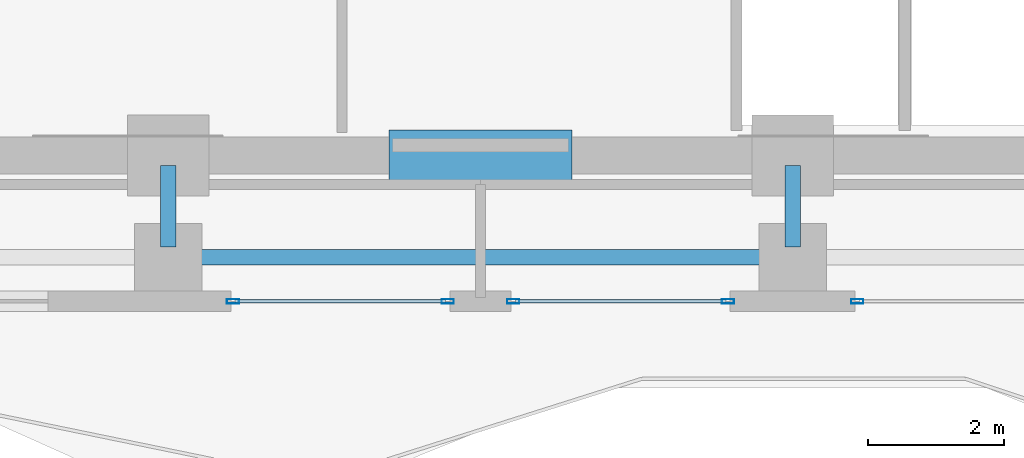
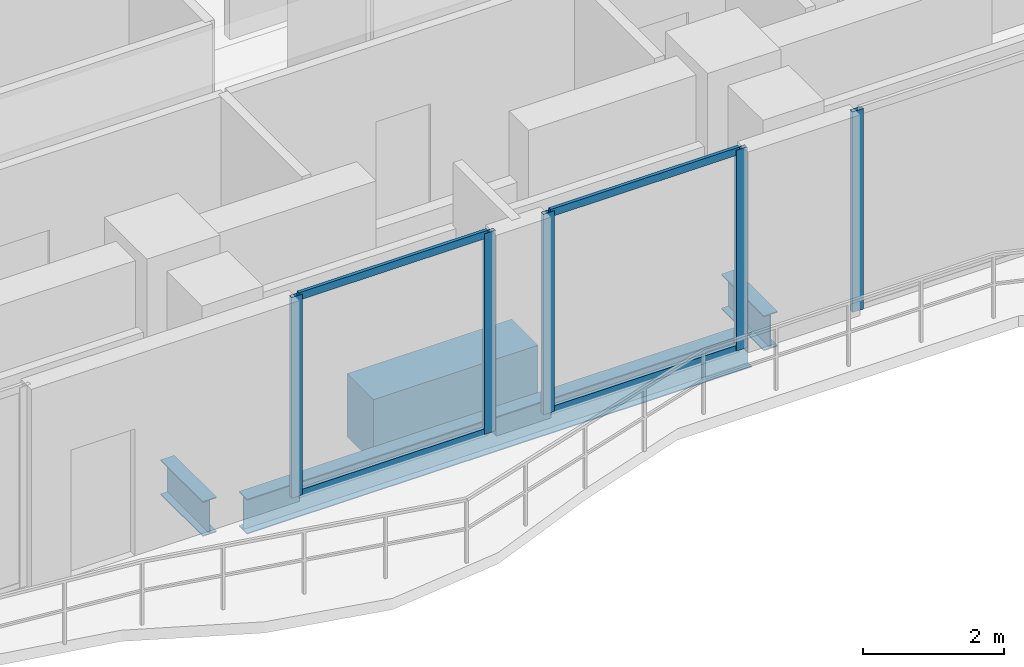
# One storey, part 4 of 24: 9 members, 4 beams, 3 elements without a shape of their own.
"""IFC4 building model written with IfcOpenShell, lengths in metres."""

import ifcopenshell
import ifcopenshell.guid

model = None  # the IFC model being written
_history = None  # IfcOwnerHistory: only IFC2X3 demands one
_inside = {}  # id of a spatial element -> (the spatial element, [elements in it])
_under = {}  # id of a project, library or spatial element -> (it, [spatial elements below it])
_declared = {}  # id of a project -> (the project, [libraries it declares])
_typed = {}  # id of a type object -> (the type object, [elements of that type])
_made_of = {}  # id of a material, layer set ... -> (it, [elements and type objects made of it])


def new_model(schema):
    """Start an empty IFC model of exactly this schema.

    Asked for "IFC4X3", IfcOpenShell would pick the latest addendum, in which some entities
    have other attributes; the version numbers below select the first issue.
    IFC2X3 requires an IfcOwnerHistory on every rooted entity: one is made here for all.
    """
    global model, _history
    if schema == "IFC4X3":
        model = ifcopenshell.file(schema_version=(4, 3, 0, 0))
    else:
        model = ifcopenshell.file(schema=schema)
    _inside.clear()
    _under.clear()
    _declared.clear()
    _typed.clear()
    _made_of.clear()
    _history = None
    if model.schema == "IFC2X3":
        org = make("IfcOrganization", Name="unknown")
        user = make(
            "IfcPersonAndOrganization",
            ThePerson=make("IfcPerson", FamilyName="unknown"),
            TheOrganization=org,
        )
        app = make(
            "IfcApplication",
            ApplicationDeveloper=org,
            Version="unknown",
            ApplicationFullName="unknown",
            ApplicationIdentifier="unknown",
        )
        _history = make(
            "IfcOwnerHistory",
            OwningUser=user,
            OwningApplication=app,
            ChangeAction="ADDED",
            CreationDate=0,
        )
    return model


def make(cls, **values):
    """One entity of the class cls with the attributes given. An attribute that is None is left unset."""
    return model.create_entity(
        cls, **{name: value for name, value in values.items() if value is not None}
    )


def rooted(cls, **values):
    """An entity with a GlobalId (a new one), such as an element, a storey or a relation."""
    return make(cls, GlobalId=ifcopenshell.guid.new(), OwnerHistory=_history, **values)


def si_unit(unit_type, name, prefix=None):
    """IfcSIUnit, for example si_unit("LENGTHUNIT", "METRE", prefix="MILLI")."""
    return make("IfcSIUnit", UnitType=unit_type, Prefix=prefix, Name=name)


def assignment(units):
    """IfcUnitAssignment: the units of a project."""
    return None if units is None else make("IfcUnitAssignment", Units=units)


def point(xyz):
    """IfcCartesianPoint."""
    return None if xyz is None else make("IfcCartesianPoint", Coordinates=xyz)


def direction(xyz):
    """IfcDirection."""
    return None if xyz is None else make("IfcDirection", DirectionRatios=xyz)


def frame(location, z_axis=None, x_axis=None):
    """IfcAxis2Placement3D, a coordinate frame: its origin and axes. An axis left out is left unset."""
    return make(
        "IfcAxis2Placement3D",
        Location=point(location),
        Axis=direction(z_axis),
        RefDirection=direction(x_axis),
    )


def frame_2d(location, x_axis=None):
    """IfcAxis2Placement2D, a coordinate frame in the plane: its origin and x axis."""
    return make(
        "IfcAxis2Placement2D", Location=point(location), RefDirection=direction(x_axis)
    )


def origin():
    """The frame at (0, 0, 0) with its axes left unset."""
    return frame((0.0, 0.0, 0.0))


def origin_2d():
    """The frame at (0, 0) in the plane with its x axis left unset."""
    return frame_2d((0.0, 0.0))


def place(relative_to, where):
    """IfcLocalPlacement: puts the frame where relative to a parent placement (None: the world)."""
    return make(
        "IfcLocalPlacement", PlacementRelTo=relative_to, RelativePlacement=where
    )


def context(
    kind, dimensions, precision=None, world=None, true_north=None, identifier=None
):
    """IfcGeometricRepresentationContext, for example the 3D "Model" context."""
    return make(
        "IfcGeometricRepresentationContext",
        ContextIdentifier=identifier,
        ContextType=kind,
        CoordinateSpaceDimension=dimensions,
        Precision=precision,
        WorldCoordinateSystem=world,
        TrueNorth=true_north,
    )


def subcontext(parent, identifier, kind, view, scale=None):
    """IfcGeometricRepresentationSubContext, for example "Body" below "Model"."""
    return make(
        "IfcGeometricRepresentationSubContext",
        ContextIdentifier=identifier,
        ContextType=kind,
        ParentContext=parent,
        TargetScale=scale,
        TargetView=view,
    )


def project(units=None, contexts=None):
    """IfcProject with its units and contexts."""
    return rooted(
        "IfcProject",
        Name="project",
        RepresentationContexts=contexts,
        UnitsInContext=assignment(units),
    )


def spatial(cls, under=None, at=None, **own):
    """A site, building, storey or space (cls), placed at a placement, below another one or the project."""
    s = rooted(cls, ObjectPlacement=at, **own)
    if under is not None:
        _under.setdefault(under.id(), (under, []))[1].append(s)
    return s


def profile(cls, at=None, kind="AREA", **sizes):
    """A parametric profile (cls). Its sizes go by their IFC names, for example OverallWidth=200.0."""
    return make(cls, ProfileType=kind, Position=at, **sizes)


def rectangle(**sizes):
    """IfcRectangleProfileDef."""
    return profile("IfcRectangleProfileDef", **sizes)


def hollow_rectangle(**sizes):
    """IfcRectangleHollowProfileDef."""
    return profile("IfcRectangleHollowProfileDef", **sizes)


def i_section(**sizes):
    """IfcIShapeProfileDef."""
    return profile("IfcIShapeProfileDef", **sizes)


def extrude(swept, where, along, depth):
    """IfcExtrudedAreaSolid: the profile swept, set in the frame where, extruded along a direction by depth."""
    return make(
        "IfcExtrudedAreaSolid",
        SweptArea=swept,
        Position=where,
        ExtrudedDirection=direction(along),
        Depth=depth,
    )


def shape(context_of_items, identifier, shape_type, items):
    """IfcShapeRepresentation: the items that make up one representation, for example the "Body"."""
    return make(
        "IfcShapeRepresentation",
        ContextOfItems=context_of_items,
        RepresentationIdentifier=identifier,
        RepresentationType=shape_type,
        Items=items,
    )


def material(Name=None, Category=None):
    """IfcMaterial."""
    return make("IfcMaterial", Name=Name, Category=Category)


def layer(
    of_material, thickness, ventilated=None, Name=None, Category=None, Priority=None
):
    """IfcMaterialLayer: one layer of a wall or slab, of a material (None: an air gap)."""
    return make(
        "IfcMaterialLayer",
        Material=of_material,
        LayerThickness=thickness,
        IsVentilated=ventilated,
        Name=Name,
        Category=Category,
        Priority=Priority,
    )


def layer_set(layers, Name=None):
    """IfcMaterialLayerSet."""
    return make("IfcMaterialLayerSet", MaterialLayers=layers, LayerSetName=Name)


def material_profile(
    of_material, cross_section, Name=None, Category=None, Priority=None
):
    """IfcMaterialProfile: a cross section and its material."""
    return make(
        "IfcMaterialProfile",
        Name=Name,
        Material=of_material,
        Profile=cross_section,
        Priority=Priority,
        Category=Category,
    )


def profile_set(profiles, Name=None, composite=None):
    """IfcMaterialProfileSet."""
    return make(
        "IfcMaterialProfileSet",
        Name=Name,
        MaterialProfiles=profiles,
        CompositeProfile=composite,
    )


def made_of(thing, what):
    """Note that an element or type object is made of a material, layer set ...; save() writes the relation."""
    if what is not None:
        _made_of.setdefault(what.id(), (what, []))[1].append(thing)
    return thing


def type_object(cls, material=None, **own):
    """A type object (cls), such as IfcWallType, which elements share."""
    return made_of(rooted(cls, **own), material)


def element(
    cls,
    number,
    at=None,
    inside=None,
    cuts=None,
    type_object=None,
    material=None,
    context=None,
    identifier="Body",
    shape_type=None,
    held_by="IfcProductDefinitionShape",
    body=None,
    shapes=None,
    **own,
):
    """One element of the class cls, such as IfcWall. Its Tag is "e" and its number.

    at: its placement. inside: the storey or other place that contains it. cuts: it is an
    opening in that element (IfcRelVoidsElement). A single representation is given by context,
    identifier, shape_type and body (its items); several are given by shapes. held_by: the class
    of the entity that holds the representations. save() writes the other relations.
    """
    e = rooted(cls, Tag="e%d" % number, ObjectPlacement=at, **own)
    if body is not None:
        shapes = [shape(context, identifier, shape_type, body)]
    if shapes is not None:
        e.Representation = make(held_by, Representations=shapes)
    if inside is not None:
        _inside.setdefault(inside.id(), (inside, []))[1].append(e)
    if cuts is not None:
        rooted(
            "IfcRelVoidsElement", RelatingBuildingElement=cuts, RelatedOpeningElement=e
        )
    if type_object is not None:
        _typed.setdefault(type_object.id(), (type_object, []))[1].append(e)
    return made_of(e, material)


def aggregate(whole, parts):
    """IfcRelAggregates: a whole, such as a stair, and the parts it consists of."""
    return rooted("IfcRelAggregates", RelatingObject=whole, RelatedObjects=parts)


def save(model, path):
    """Write the relations noted so far, then the file.

    IfcRelAggregates (storeys below a building ...), IfcRelContainedInSpatialStructure (elements
    in a storey), IfcRelDefinesByType, IfcRelAssociatesMaterial and IfcRelDeclares: one each for
    every whole, place, type object, material and project.
    """
    for whole, parts in _under.values():
        aggregate(whole, parts)
    for where, things in _inside.values():
        rooted(
            "IfcRelContainedInSpatialStructure",
            RelatedElements=things,
            RelatingStructure=where,
        )
    for kind, things in _typed.values():
        rooted("IfcRelDefinesByType", RelatedObjects=things, RelatingType=kind)
    for what, things in _made_of.values():
        rooted("IfcRelAssociatesMaterial", RelatedObjects=things, RelatingMaterial=what)
    for by, libraries in _declared.values():
        rooted("IfcRelDeclares", RelatingContext=by, RelatedDefinitions=libraries)
    model.write(path)


model = new_model("IFC4")

# Units and contexts
model_context = context("Model", 3, precision=1e-05, world=origin(), true_north=direction((0.0, 1.0)))
body_context = subcontext(model_context, "Body", "Model", "MODEL_VIEW")
ifc_project = project(units=[si_unit("LENGTHUNIT", "METRE"), si_unit("AREAUNIT", "SQUARE_METRE"), si_unit("VOLUMEUNIT", "CUBIC_METRE"), si_unit("PLANEANGLEUNIT", "RADIAN"), si_unit("MASSUNIT", "GRAM", prefix="KILO")], contexts=[model_context])

# Site, building, storey
site_placement = place(None, origin())
site = spatial("IfcSite", under=ifc_project, at=site_placement, CompositionType="ELEMENT")
building_placement = place(site_placement, origin())
building = spatial("IfcBuilding", under=site, at=building_placement, Name="Zuhayl Quay Hotel", CompositionType="ELEMENT")
storey_placement = place(building_placement, frame((0.0, 0.0, 276.64990234375)))
storey = spatial("IfcBuildingStorey", under=building, at=storey_placement, Name="L70", CompositionType="ELEMENT", Elevation=276.64990234375)

# Beams
ifc_material_1 = material(Name="Steel ASTM A992 Grade 50", Category="steel")
ifc_material_profile_1 = material_profile(ifc_material_1, i_section(OverallWidth=0.22802734375, OverallDepth=0.60693359375, WebThickness=0.01123046875, FlangeThickness=0.017333984375, at=origin_2d()), Name="W24X76")
ifc_profile_set_1 = profile_set([ifc_material_profile_1], Name="Steel ASTM A992 Grade 50")
beam_type_1 = type_object("IfcBeamType", Name="BM_B3_W24X76", PredefinedType="BEAM", material=ifc_profile_set_1)
beam_1_placement = place(storey_placement, frame((-4.139892578125, 0.64990234375, -0.5234375), z_axis=(1.0, 0.0, 0.0), x_axis=(0.0, 1.0, 0.0)))
element("IfcBeam", 1, at=beam_1_placement, inside=storey, type_object=beam_type_1, Name="L70 Floor Beam RG_L70_02", PredefinedType="BEAM", context=body_context, shape_type="SweptSolid", body=[
    extrude(i_section(OverallWidth=0.22802734375, OverallDepth=0.60693359375, WebThickness=0.01123046875, FlangeThickness=0.017333984375, at=origin_2d()), origin(), (0.0, 0.0, 1.0), 8.27978515625),
])
for number, where, z_axis, x_axis, name in (
    (2, (-4.60009765625, 0.800048828125, -0.5234375), (0.0, 1.0, 0.0), (-1.0, 0.0, 0.0), "L70 Floor Beam FG_S_L70_2"),
    (3, (4.60009765625, 0.800048828125, -0.5234375), (0.0, 1.0, 0.0), (-1.0, 0.0, 0.0), "L70 Floor Beam FG_S_L70_3"),
):
    element("IfcBeam", number, at=place(storey_placement, frame(where, z_axis=z_axis, x_axis=x_axis)), inside=storey, type_object=beam_type_1, Name=name, PredefinedType="BEAM", context=body_context, shape_type="SweptSolid", body=[
        extrude(i_section(OverallWidth=0.22802734375, OverallDepth=0.60693359375, WebThickness=0.01123046875, FlangeThickness=0.017333984375, at=origin_2d()), origin(), (0.0, 0.0, 1.0), 1.199951171875),
    ])
ifc_material_2 = material(Name="Concrete C60/75", Category="concrete")
ifc_material_profile_2 = material_profile(ifc_material_2, rectangle(XDim=0.75, YDim=1.10009765625, at=origin_2d()), Name="RC750X1100")
ifc_profile_set_2 = profile_set([ifc_material_profile_2], Name="Concrete C60/75")
beam_type_2 = type_object("IfcBeamType", Name="BM_CB2_RC750", PredefinedType="T_BEAM", material=ifc_profile_set_2)
beam_2_placement = place(storey_placement, frame((-1.35009765625, 2.14990234375, -0.77001953125), z_axis=(1.0, 0.0, 0.0), x_axis=(0.0, 1.0, 0.0)))
element("IfcBeam", 4, at=beam_2_placement, inside=storey, type_object=beam_type_2, Name="L70 Core Coupling Beam South", PredefinedType="T_BEAM", context=body_context, shape_type="SweptSolid", body=[
    extrude(rectangle(XDim=0.75, YDim=1.10009765625, at=origin_2d()), origin(), (0.0, 0.0, 1.0), 2.7001953125),
])

# Curtain wall, member
ifc_material_3 = material(Name="Anodised Aluminium 6063-T6", Category="aluminium")
ifc_layer = layer(ifc_material_3, 0.169921875, Name="Anodised Aluminium 6063-T6", Category="aluminium")
ifc_layer_set = layer_set([ifc_layer], Name="Anodised Aluminium 6063-T6")
curtain_wall_type = type_object("IfcCurtainWallType", Name="CW_SYS_Z4", PredefinedType="USERDEFINED", material=ifc_layer_set)
curtain_wall_1_placement = place(storey_placement, origin())
curtain_wall_1 = element("IfcCurtainWall", 5, at=curtain_wall_1_placement, inside=storey, type_object=curtain_wall_type, Name="L70 Curtain Wall ENV_L70_S_CW1", ObjectType="UNITISED CURTAIN WALL", PredefinedType="USERDEFINED")
ifc_material_4 = material(Name="Black-anodised aluminium 6063-T6", Category="aluminium")
ifc_material_profile_3 = material_profile(ifc_material_4, hollow_rectangle(XDim=0.06494140625, YDim=0.179931640625, WallThickness=0.00341796875, at=origin_2d()), Name="ALU180X65")
ifc_profile_set_3 = profile_set([ifc_material_profile_3], Name="Black-anodised aluminium 6063-T6")
member_type_1 = type_object("IfcMemberType", Name="MB_CW_MUL_180", PredefinedType="MULLION", material=ifc_profile_set_3)
member_1_placement = place(storey_placement, frame((5.552490234375, 0.0, 0.0), z_axis=(0.0, 0.0, 1.0), x_axis=(0.0, -1.0, 0.0)))
member_1 = element("IfcMember", 6, at=member_1_placement, type_object=member_type_1, Name="CW-Z4 mullion 2", PredefinedType="MULLION", context=body_context, shape_type="SweptSolid", body=[
    extrude(hollow_rectangle(XDim=0.06494140625, YDim=0.179931640625, WallThickness=0.00341796875, at=origin_2d()), origin(), (0.0, 0.0, 1.0), 3.47998046875),
])
aggregate(curtain_wall_1, [member_1])

# Curtain wall, members
curtain_wall_2_placement = place(storey_placement, origin())
curtain_wall_2 = element("IfcCurtainWall", 7, at=curtain_wall_2_placement, inside=storey, type_object=curtain_wall_type, Name="L70 Curtain Wall ENV_L70_S_CW2", ObjectType="UNITISED CURTAIN WALL", PredefinedType="USERDEFINED")
member_2_placement = place(storey_placement, frame((3.6474609375, 0.0, 0.0), z_axis=(0.0, 0.0, 1.0), x_axis=(0.0, -1.0, 0.0)))
member_2 = element("IfcMember", 8, at=member_2_placement, type_object=member_type_1, Name="CW-Z4 mullion 1", PredefinedType="MULLION", context=body_context, shape_type="SweptSolid", body=[
    extrude(hollow_rectangle(XDim=0.06494140625, YDim=0.179931640625, WallThickness=0.00341796875, at=origin_2d()), origin(), (0.0, 0.0, 1.0), 3.47998046875),
])
member_3_placement = place(storey_placement, frame((0.482421875, 0.0, 0.0), z_axis=(0.0, 0.0, 1.0), x_axis=(0.0, -1.0, 0.0)))
member_3 = element("IfcMember", 9, at=member_3_placement, type_object=member_type_1, Name="CW-Z4 mullion 2", PredefinedType="MULLION", context=body_context, shape_type="SweptSolid", body=[
    extrude(hollow_rectangle(XDim=0.06494140625, YDim=0.179931640625, WallThickness=0.00341796875, at=origin_2d()), origin(), (0.0, 0.0, 1.0), 3.47998046875),
])

curtain_wall_3_placement = place(storey_placement, origin())
curtain_wall_3 = element("IfcCurtainWall", 10, at=curtain_wall_3_placement, inside=storey, type_object=curtain_wall_type, Name="L70 Curtain Wall ENV_L70_S_CW3", ObjectType="UNITISED CURTAIN WALL", PredefinedType="USERDEFINED")
member_4_placement = place(storey_placement, frame((-0.482421875, 0.0, 0.0), z_axis=(0.0, 0.0, 1.0), x_axis=(0.0, -1.0, 0.0)))
member_4 = element("IfcMember", 11, at=member_4_placement, type_object=member_type_1, Name="CW-Z4 mullion 1", PredefinedType="MULLION", context=body_context, shape_type="SweptSolid", body=[
    extrude(hollow_rectangle(XDim=0.06494140625, YDim=0.179931640625, WallThickness=0.00341796875, at=origin_2d()), origin(), (0.0, 0.0, 1.0), 3.47998046875),
])
member_5_placement = place(storey_placement, frame((-3.6474609375, 0.0, 0.0), z_axis=(0.0, 0.0, 1.0), x_axis=(0.0, -1.0, 0.0)))
member_5 = element("IfcMember", 12, at=member_5_placement, type_object=member_type_1, Name="CW-Z4 mullion 2", PredefinedType="MULLION", context=body_context, shape_type="SweptSolid", body=[
    extrude(hollow_rectangle(XDim=0.06494140625, YDim=0.179931640625, WallThickness=0.00341796875, at=origin_2d()), origin(), (0.0, 0.0, 1.0), 3.47998046875),
])

# Member
ifc_material_profile_4 = material_profile(ifc_material_4, hollow_rectangle(XDim=0.054931640625, YDim=0.1298828125, WallThickness=0.0029296875, at=origin_2d()), Name="ALU130X55")
ifc_profile_set_4 = profile_set([ifc_material_profile_4], Name="Black-anodised aluminium 6063-T6")
member_type_2 = type_object("IfcMemberType", Name="MB_CW_TRN_130", PredefinedType="USERDEFINED", material=ifc_profile_set_4)
member_6_placement = place(storey_placement, frame((3.614990234375, 0.0, 0.027587890625), z_axis=(-1.0, 0.0, 0.0), x_axis=(0.0, -1.0, 0.0)))
member_6 = element("IfcMember", 13, at=member_6_placement, type_object=member_type_2, Name="CW-Z4 transom 1.1", ObjectType="TRANSOM", PredefinedType="USERDEFINED", context=body_context, shape_type="SweptSolid", body=[
    extrude(hollow_rectangle(XDim=0.054931640625, YDim=0.1298828125, WallThickness=0.0029296875, at=origin_2d()), origin(), (0.0, 0.0, 1.0), 3.10009765625),
])

member_7_placement = place(storey_placement, frame((3.614990234375, 0.0, 3.45263671875), z_axis=(-1.0, 0.0, 0.0), x_axis=(0.0, -1.0, 0.0)))
member_7 = element("IfcMember", 14, at=member_7_placement, type_object=member_type_2, Name="CW-Z4 transom 1.2", ObjectType="TRANSOM", PredefinedType="USERDEFINED", context=body_context, shape_type="SweptSolid", body=[
    extrude(hollow_rectangle(XDim=0.054931640625, YDim=0.1298828125, WallThickness=0.0029296875, at=origin_2d()), origin(), (0.0, 0.0, 1.0), 3.10009765625),
])

aggregate(curtain_wall_2, [member_2, member_3, member_6, member_7])

member_8_placement = place(storey_placement, frame((-0.514892578125, 0.0, 0.027587890625), z_axis=(-1.0, 0.0, 0.0), x_axis=(0.0, -1.0, 0.0)))
member_8 = element("IfcMember", 15, at=member_8_placement, type_object=member_type_2, Name="CW-Z4 transom 1.1", ObjectType="TRANSOM", PredefinedType="USERDEFINED", context=body_context, shape_type="SweptSolid", body=[
    extrude(hollow_rectangle(XDim=0.054931640625, YDim=0.1298828125, WallThickness=0.0029296875, at=origin_2d()), origin(), (0.0, 0.0, 1.0), 3.10009765625),
])

member_9_placement = place(storey_placement, frame((-0.514892578125, 0.0, 3.45263671875), z_axis=(-1.0, 0.0, 0.0), x_axis=(0.0, -1.0, 0.0)))
member_9 = element("IfcMember", 16, at=member_9_placement, type_object=member_type_2, Name="CW-Z4 transom 1.2", ObjectType="TRANSOM", PredefinedType="USERDEFINED", context=body_context, shape_type="SweptSolid", body=[
    extrude(hollow_rectangle(XDim=0.054931640625, YDim=0.1298828125, WallThickness=0.0029296875, at=origin_2d()), origin(), (0.0, 0.0, 1.0), 3.10009765625),
])

aggregate(curtain_wall_3, [member_4, member_5, member_8, member_9])

save(model, "model.ifc")
